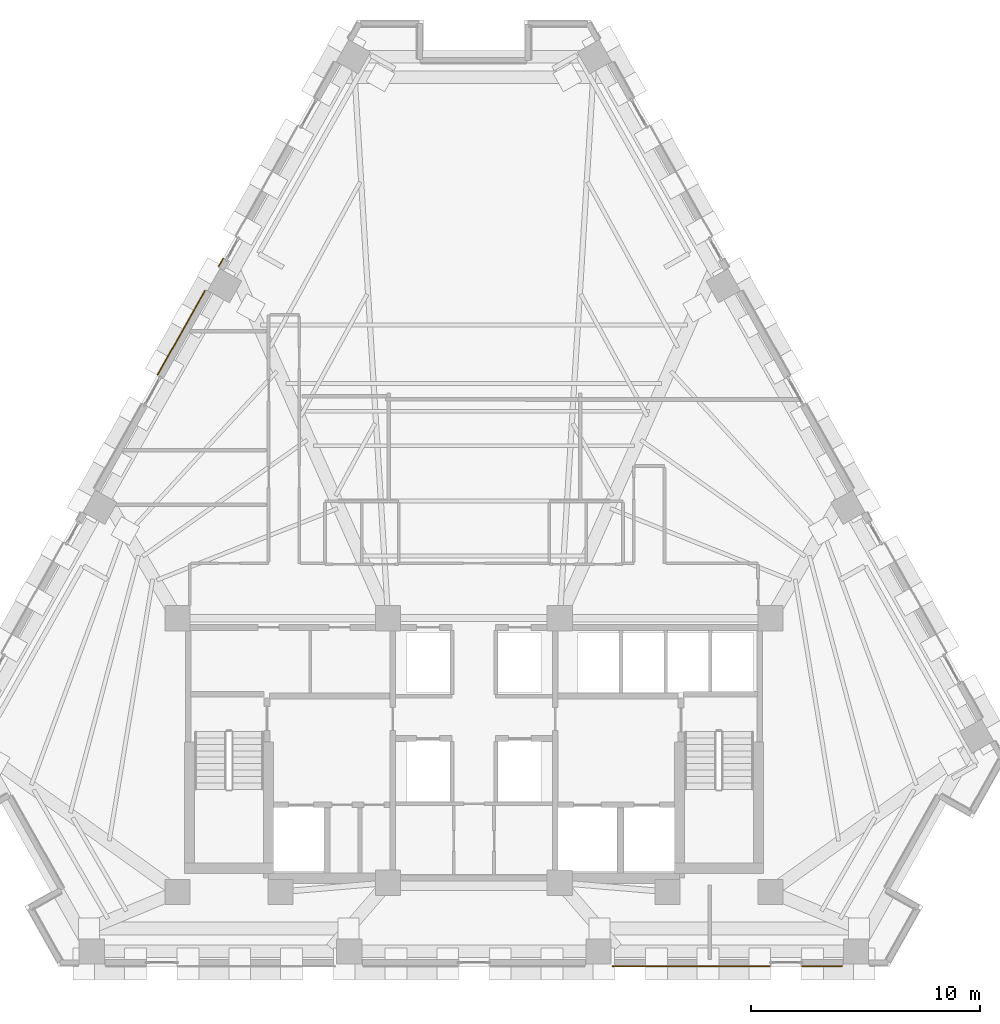
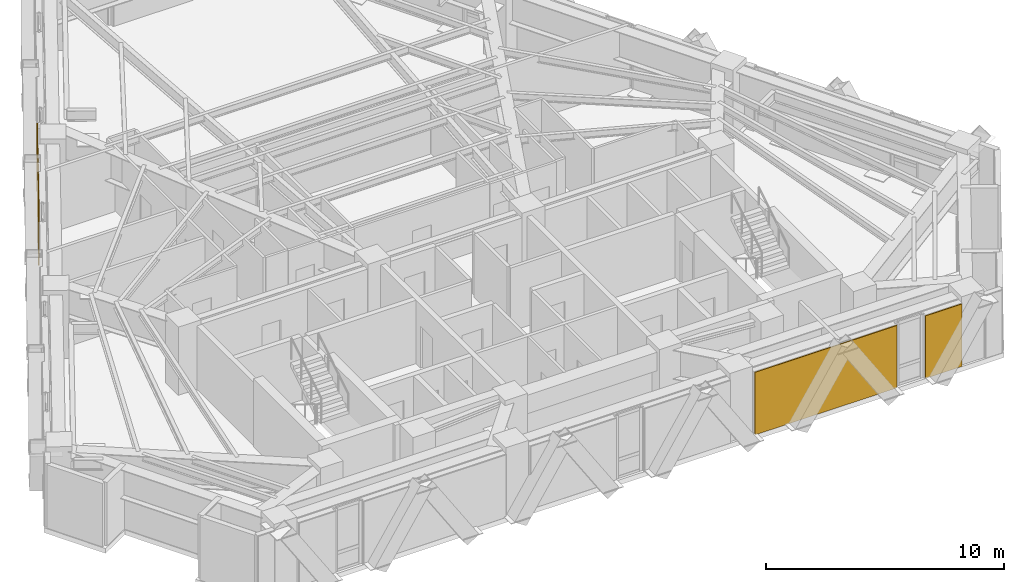
# One storey, part 11 of 13: 4 coverings.
"""IFC4 building model written with IfcOpenShell, lengths in metres."""

from ifc_helpers import new_model, si_unit, direction, frame, origin, place, context, subcontext, project, spatial, polyline, outline, extrude, material, layer, layer_set, type_object, element, save


model = new_model("IFC4")

# Units and contexts
model_context = context("Model", 3, precision=1e-05, world=origin(), true_north=direction((0.0, 1.0)))
body_context = subcontext(model_context, "Body", "Model", "MODEL_VIEW")
ifc_project = project(units=[si_unit("LENGTHUNIT", "METRE"), si_unit("AREAUNIT", "SQUARE_METRE"), si_unit("VOLUMEUNIT", "CUBIC_METRE"), si_unit("PLANEANGLEUNIT", "RADIAN"), si_unit("MASSUNIT", "GRAM", prefix="KILO")], contexts=[model_context])

# Site, building, storey
site_placement = place(None, origin())
site = spatial("IfcSite", under=ifc_project, at=site_placement, CompositionType="ELEMENT")
building_placement = place(site_placement, origin())
building = spatial("IfcBuilding", under=site, at=building_placement, Name="Quenlor Broadcast Tower", CompositionType="ELEMENT")
storey_placement = place(building_placement, frame((0.0, 0.0, 126.5)))
storey = spatial("IfcBuildingStorey", under=building, at=storey_placement, Name="L34", CompositionType="ELEMENT", Elevation=126.5)

# Coverings
ifc_material = material(Name="Architectural Terracotta Ceramic", Category="masonry")
ifc_layer = layer(ifc_material, 0.044921875)
ifc_layer_set = layer_set([ifc_layer], Name="Fluted Terracotta Rainscreen Cladding Panel")
covering_type = type_object("IfcCoveringType", Name="Fluted Terracotta Rainscreen Cladding Panel", PredefinedType="CLADDING", material=ifc_layer_set)
covering_1_placement = place(storey_placement, frame((0.0, 0.0, 0.02001953125)))
element("IfcCovering", 1, at=covering_1_placement, inside=storey, type_object=covering_type, Name="L34 Terracotta Rainscreen Cladding L34-SA-SP1", PredefinedType="CLADDING", context=body_context, shape_type="SweptSolid", body=[
    extrude(outline(polyline([(16.08740234375, -19.971923828125), (14.32177734375, -19.971923828125), (14.32177734375, -20.01708984375), (16.08740234375, -20.01708984375), (16.08740234375, -19.971923828125)])), origin(), (0.0, 0.0, 1.0), 3.2099609375),
])
covering_2_placement = place(storey_placement, frame((0.0, 0.0, 0.02001953125)))
element("IfcCovering", 2, at=covering_2_placement, inside=storey, type_object=covering_type, Name="L34 Terracotta Rainscreen Cladding L34-SA-SP2", PredefinedType="CLADDING", context=body_context, shape_type="SweptSolid", body=[
    extrude(outline(polyline([(12.94873046875, -19.971923828125), (6.048095703125, -19.971923828125), (6.048095703125, -20.01708984375), (12.94873046875, -20.01708984375), (12.94873046875, -19.971923828125)])), origin(), (0.0, 0.0, 1.0), 3.2099609375),
])
covering_3_placement = place(storey_placement, frame((0.0, 0.0, 0.02001953125)))
element("IfcCovering", 3, at=covering_3_placement, inside=storey, type_object=covering_type, Name="L34 Terracotta Rainscreen Cladding L34-NWC-SP1", PredefinedType="CLADDING", context=body_context, shape_type="SweptSolid", body=[
    extrude(outline(polyline([(-11.13232421875, 10.552001953125), (-10.936279296875, 10.900634765625), (-10.9755859375, 10.922607421875), (-11.171630859375, 10.57421875), (-11.13232421875, 10.552001953125)])), origin(), (0.0, 0.0, 1.0), 3.2099609375),
])
covering_4_placement = place(storey_placement, frame((0.0, 0.0, 0.02001953125)))
element("IfcCovering", 4, at=covering_4_placement, inside=storey, type_object=covering_type, Name="L34 Terracotta Rainscreen Cladding L34-NW-SP2", PredefinedType="CLADDING", context=body_context, shape_type="SweptSolid", body=[
    extrude(outline(polyline([(-13.801513671875, 5.806884765625), (-11.72314453125, 9.501708984375), (-11.76220703125, 9.523681640625), (-13.8408203125, 5.8291015625), (-13.801513671875, 5.806884765625)])), origin(), (0.0, 0.0, 1.0), 3.2099609375),
])

save(model, "model.ifc")
